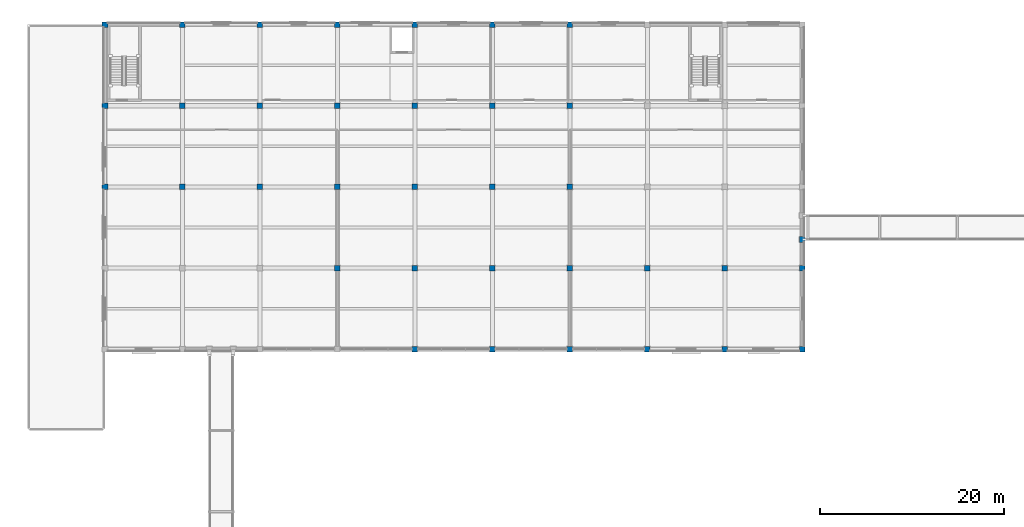
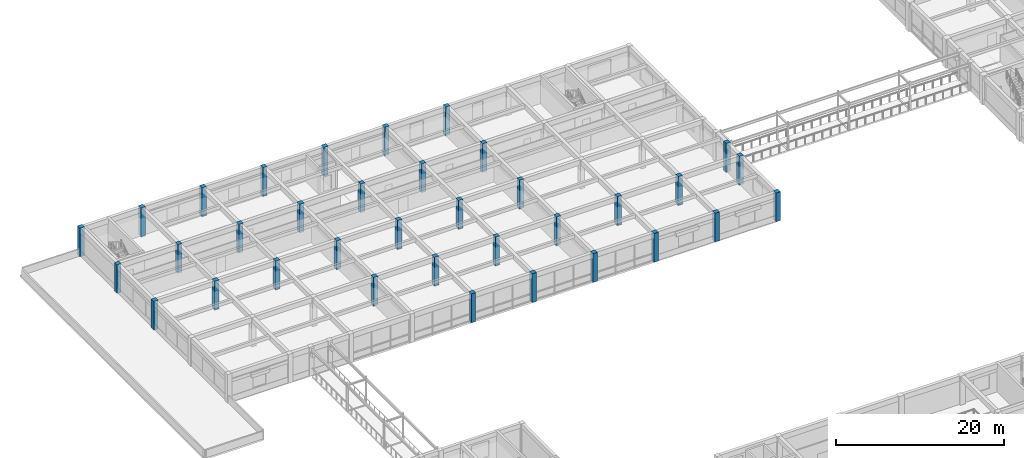
# One storey, part 7 of 57: 35 columns.
"""IFC4 building model written with IfcOpenShell, lengths in metres."""

from ifc_helpers import new_model, si_unit, direction, frame, origin, origin_2d, place, context, subcontext, project, spatial, rectangle, extrude, material, material_profile, profile_set, type_object, element, save


model = new_model("IFC4")

# Units and contexts
model_context = context("Model", 3, precision=1e-05, world=origin(), true_north=direction((0.0, 1.0)))
body_context = subcontext(model_context, "Body", "Model", "MODEL_VIEW")
ifc_project = project(units=[si_unit("LENGTHUNIT", "METRE"), si_unit("AREAUNIT", "SQUARE_METRE"), si_unit("VOLUMEUNIT", "CUBIC_METRE"), si_unit("PLANEANGLEUNIT", "RADIAN"), si_unit("MASSUNIT", "GRAM", prefix="KILO")], contexts=[model_context])

# Site, building, storey
site_placement = place(None, origin())
site = spatial("IfcSite", under=ifc_project, at=site_placement, CompositionType="ELEMENT")
building_placement = place(site_placement, origin())
building = spatial("IfcBuilding", under=site, at=building_placement, Name="Kemercrest Conservatory and Botanical Centre", CompositionType="ELEMENT")
storey_placement = place(building_placement, frame((0.0, 0.0, 4.800048828125)))
storey = spatial("IfcBuildingStorey", under=building, at=storey_placement, Name="L01", CompositionType="ELEMENT", Elevation=4.800048828125)

# Columns
ifc_material = material(Name="Concrete C40/50", Category="concrete")
ifc_material_profile = material_profile(ifc_material, rectangle(XDim=0.60009765625, YDim=0.60009765625, at=origin_2d()), Name="RC 600x600")
ifc_profile_set = profile_set([ifc_material_profile], Name="Concrete C40/50")
column_type = type_object("IfcColumnType", Name="C-RC60", PredefinedType="COLUMN", material=ifc_profile_set)
for number, where, z_axis, x_axis, name in (
    (1, (16.39990234375, 104.800048828125, 0.0), (0.0, 0.0, 1.0), (1.0, 0.0, 0.0), "Visitor Wing column 02/M"),
    (2, (16.39990234375, 113.60009765625, 0.0), (0.0, 0.0, 1.0), (1.0, 0.0, 0.0), "Visitor Wing column 02/N"),
    (3, (16.39990234375, 122.39990234375, 0.0), (0.0, 0.0, 1.0), (1.0, 0.0, 0.0), "Visitor Wing column 02/P"),
    (4, (24.800048828125, 104.800048828125, 0.0), (0.0, 0.0, 1.0), (1.0, 0.0, 0.0), "Visitor Wing column 03/M"),
    (5, (24.800048828125, 113.60009765625, 0.0), (0.0, 0.0, 1.0), (1.0, 0.0, 0.0), "Visitor Wing column 03/N"),
    (6, (24.800048828125, 122.39990234375, 0.0), (0.0, 0.0, 1.0), (1.0, 0.0, 0.0), "Visitor Wing column 03/P"),
    (7, (33.199951171875, 104.800048828125, 0.0), (0.0, 0.0, 1.0), (1.0, 0.0, 0.0), "Visitor Wing column 04/M"),
    (8, (33.199951171875, 113.60009765625, 0.0), (0.0, 0.0, 1.0), (1.0, 0.0, 0.0), "Visitor Wing column 04/N"),
    (9, (33.199951171875, 122.39990234375, 0.0), (0.0, 0.0, 1.0), (1.0, 0.0, 0.0), "Visitor Wing column 04/P"),
    (10, (41.60009765625, 96.0, 0.0), (0.0, 0.0, 1.0), (1.0, 0.0, 0.0), "Visitor Wing column 05/L"),
    (11, (41.60009765625, 104.800048828125, 0.0), (0.0, 0.0, 1.0), (1.0, 0.0, 0.0), "Visitor Wing column 05/M"),
    (12, (41.60009765625, 113.60009765625, 0.0), (0.0, 0.0, 1.0), (1.0, 0.0, 0.0), "Visitor Wing column 05/N"),
    (13, (41.60009765625, 122.39990234375, 0.0), (0.0, 0.0, 1.0), (1.0, 0.0, 0.0), "Visitor Wing column 05/P"),
    (14, (50.0, 87.199951171875, 0.0), (0.0, 0.0, 1.0), (1.0, 0.0, 0.0), "Visitor Wing column 06/K"),
    (15, (50.0, 96.0, 0.0), (0.0, 0.0, 1.0), (1.0, 0.0, 0.0), "Visitor Wing column 06/L"),
    (16, (50.0, 104.800048828125, 0.0), (0.0, 0.0, 1.0), (1.0, 0.0, 0.0), "Visitor Wing column 06/M"),
    (17, (50.0, 113.60009765625, 0.0), (0.0, 0.0, 1.0), (1.0, 0.0, 0.0), "Visitor Wing column 06/N"),
    (18, (50.0, 122.39990234375, 0.0), (0.0, 0.0, 1.0), (1.0, 0.0, 0.0), "Visitor Wing column 06/P"),
    (19, (58.39990234375, 87.199951171875, 0.0), (0.0, 0.0, 1.0), (1.0, 0.0, 0.0), "Visitor Wing column 07/K"),
    (20, (58.39990234375, 96.0, 0.0), (0.0, 0.0, 1.0), (1.0, 0.0, 0.0), "Visitor Wing column 07/L"),
    (21, (58.39990234375, 104.800048828125, 0.0), (0.0, 0.0, 1.0), (1.0, 0.0, 0.0), "Visitor Wing column 07/M"),
    (22, (58.39990234375, 113.60009765625, 0.0), (0.0, 0.0, 1.0), (1.0, 0.0, 0.0), "Visitor Wing column 07/N"),
    (23, (58.39990234375, 122.39990234375, 0.0), (0.0, 0.0, 1.0), (1.0, 0.0, 0.0), "Visitor Wing column 07/P"),
    (24, (66.800048828125, 87.199951171875, 0.0), (0.0, 0.0, 1.0), (1.0, 0.0, 0.0), "Visitor Wing column 08/K"),
    (25, (66.800048828125, 96.0, 0.0), (0.0, 0.0, 1.0), (1.0, 0.0, 0.0), "Visitor Wing column 08/L"),
    (26, (66.800048828125, 104.800048828125, 0.0), (0.0, 0.0, 1.0), (1.0, 0.0, 0.0), "Visitor Wing column 08/M"),
    (27, (66.800048828125, 113.60009765625, 0.0), (0.0, 0.0, 1.0), (1.0, 0.0, 0.0), "Visitor Wing column 08/N"),
    (28, (66.800048828125, 122.39990234375, 0.0), (0.0, 0.0, 1.0), (1.0, 0.0, 0.0), "Visitor Wing column 08/P"),
    (29, (75.199951171875, 87.199951171875, 0.0), (0.0, 0.0, 1.0), (1.0, 0.0, 0.0), "Visitor Wing column 09/K"),
    (30, (75.199951171875, 96.0, 0.0), (0.0, 0.0, 1.0), (1.0, 0.0, 0.0), "Visitor Wing column 09/L"),
    (31, (83.60009765625, 87.199951171875, 0.0), (0.0, 0.0, 1.0), (1.0, 0.0, 0.0), "Visitor Wing column 10/K"),
    (32, (83.60009765625, 96.0, 0.0), (0.0, 0.0, 1.0), (1.0, 0.0, 0.0), "Visitor Wing column 10/L"),
    (33, (92.0, 87.199951171875, 0.0), (0.0, 0.0, 1.0), (1.0, 0.0, 0.0), "Visitor Wing column 11/K"),
    (34, (92.0, 96.0, 0.0), (0.0, 0.0, 1.0), (1.0, 0.0, 0.0), "Visitor Wing column 11/L"),
    (35, (92.0, 99.10009765625, 0.0), (0.0, 0.0, 1.0), (1.0, 0.0, 0.0), "North Courtyard Covered Passage SJ-3 org pier column 1"),
):
    element("IfcColumn", number, at=place(storey_placement, frame(where, z_axis=z_axis, x_axis=x_axis)), inside=storey, type_object=column_type, Name=name, PredefinedType="COLUMN", context=body_context, shape_type="SweptSolid", body=[
        extrude(rectangle(XDim=0.60009765625, YDim=0.60009765625, at=origin_2d()), origin(), (0.0, 0.0, 1.0), 4.199951171875),
    ])

save(model, "model.ifc")
